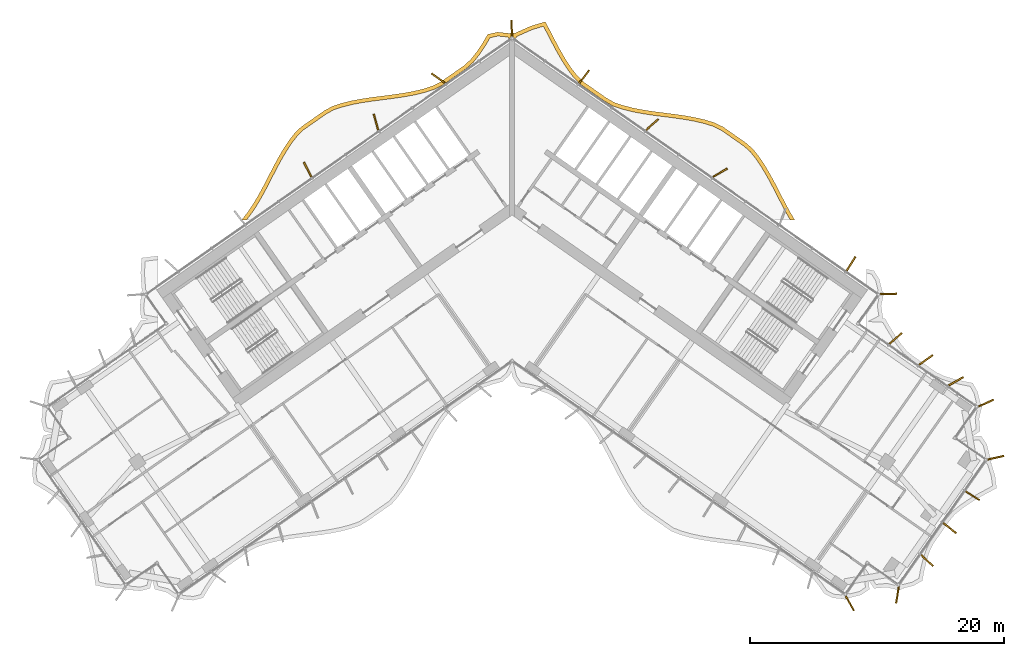
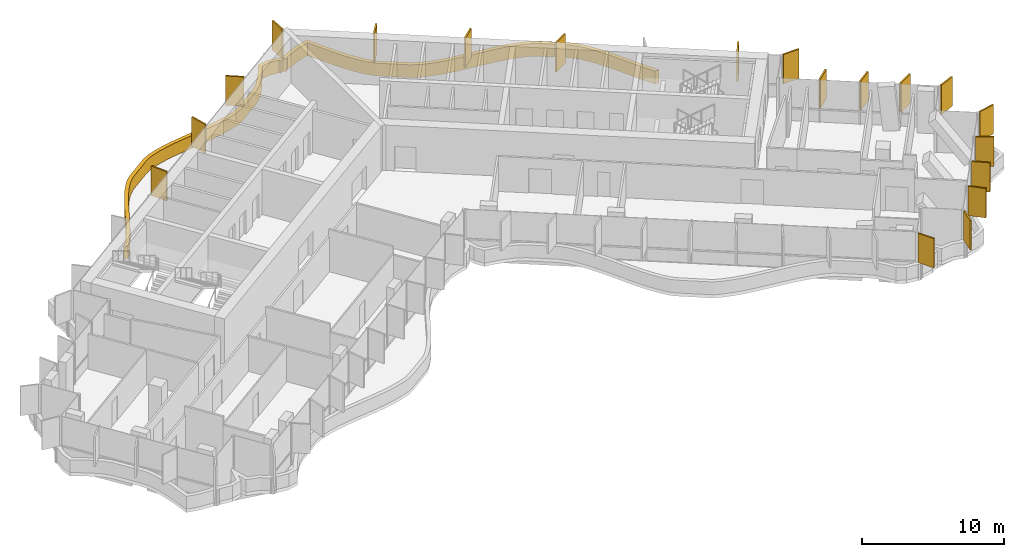
# One storey, part 23 of 23: 20 shading devices.
"""IFC4 building model written with IfcOpenShell, lengths in metres."""

from ifc_helpers import new_model, si_unit, direction, frame, origin, origin_2d, place, context, subcontext, project, spatial, polyline, rectangle, outline, extrude, material, layer, layer_set, type_object, element, save


model = new_model("IFC4")

# Units and contexts
model_context = context("Model", 3, precision=1e-05, world=origin(), true_north=direction((0.0, 1.0)))
body_context = subcontext(model_context, "Body", "Model", "MODEL_VIEW")
ifc_project = project(units=[si_unit("LENGTHUNIT", "METRE"), si_unit("AREAUNIT", "SQUARE_METRE"), si_unit("VOLUMEUNIT", "CUBIC_METRE"), si_unit("PLANEANGLEUNIT", "RADIAN"), si_unit("MASSUNIT", "GRAM", prefix="KILO")], contexts=[model_context])

# Site, building, storey
site_placement = place(None, origin())
site = spatial("IfcSite", under=ifc_project, at=site_placement, CompositionType="ELEMENT")
building_placement = place(site_placement, origin())
building = spatial("IfcBuilding", under=site, at=building_placement, Name="Tel Ilan Convention Tower", CompositionType="ELEMENT")
storey_placement = place(building_placement, frame((0.0, 0.0, 186.60009765625)))
storey = spatial("IfcBuildingStorey", under=building, at=storey_placement, Name="L43", CompositionType="ELEMENT", Elevation=186.60009765625)

# Shading devices
ifc_material_1 = material(Name="Aluminium, bronze anodised", Category="aluminium")
ifc_layer_1 = layer(ifc_material_1, 0.1201171875)
ifc_layer_set_1 = layer_set([ifc_layer_1], Name="FIN BRONZE 1300x120")
shading_device_type_1 = type_object("IfcShadingDeviceType", Name="FIN BRONZE 1300x120", PredefinedType="USERDEFINED", material=ifc_layer_set_1)
for number, where, z_axis, x_axis, name in (
    (1, (29.61669921875, -7.438720703125, 1.099853515625), (0.0, 0.0, 1.0), (0.999576950082, 0.029084718749, 0.0), "FIN"),
    (2, (26.674072265625, -5.063720703125, 1.099853515625), (0.0, 0.0, 1.0), (0.533204432798, 0.845986425922, 0.0), "FIN"),
    (3, (16.372802734375, 2.103271484375, 1.099853515625), (0.0, 0.0, 1.0), (0.866025403784, 0.5, 0.0), "FIN"),
    (4, (11.028076171875, 5.88330078125, 1.099853515625), (0.0, 0.0, 1.0), (0.753435896329, 0.657521368568, 0.0), "FIN"),
    (5, (5.664794921875, 9.647216796875, 1.099853515625), (0.0, 0.0, 1.0), (0.612600545196, 0.790392669516, 0.0), "FIN"),
    (6, (-0.031494140625, 13.4697265625, 1.099853515625), (0.0, 0.0, 1.0), (-0.048462378231, 0.998825008646, 0.0), "FIN"),
    (7, (-5.80517578125, 9.525390625, 1.099853515625), (0.0, 0.0, 1.0), (-0.813552070258, 0.581492071294, 0.0), "FIN"),
    (8, (-10.716064453125, 6.086669921875, 1.099853515625), (0.0, 0.0, 1.0), (-0.268172612768, 0.963370878614, 0.0), "FIN"),
    (9, (-16.092041015625, 2.345458984375, 1.099853515625), (0.0, 0.0, 1.0), (-0.448799180206, 0.893632640321, 0.0), "FIN"),
    (10, (26.574951171875, -31.78515625, 1.099853515625), (0.0, 0.0, 1.0), (0.491579408049, -0.870832754082, 0.0), "FIN"),
    (11, (30.326904296875, -31.12353515625, 1.099853515625), (0.0, 0.0, 1.0), (-0.16409119891, -0.986445172547, 0.0), "FIN"),
    (12, (32.6591796875, -28.41552734375, 1.099853515625), (0.0, 0.0, 1.0), (0.727373641577, -0.686241637865, 0.0), "FIN"),
    (13, (34.44482421875, -25.865966796875, 1.099853515625), (0.0, 0.0, 1.0), (0.790392669516, -0.612600545196, 0.0), "FIN"),
    (14, (36.230224609375, -23.31591796875, 1.099853515625), (0.0, 0.0, 1.0), (0.845986425922, -0.533204432798, 0.0), "FIN"),
    (15, (38.064208984375, -20.325439453125, 1.099853515625), (0.0, 0.0, 1.0), (0.975235208752, 0.221170268371, 0.0), "FIN"),
    (16, (37.299072265625, -16.02587890625, 1.099853515625), (0.0, 0.0, 1.0), (0.914332505315, 0.404964282034, 0.0), "FIN"),
    (17, (34.933837890625, -14.311279296875, 1.099853515625), (0.0, 0.0, 1.0), (0.866025403784, 0.5, 0.0), "FIN"),
    (18, (32.56201171875, -12.628173828125, 1.099853515625), (0.0, 0.0, 1.0), (0.813552070258, 0.581492071294, 0.0), "FIN"),
    (19, (30.18505859375, -10.948486328125, 1.099853515625), (0.0, 0.0, 1.0), (0.753435896329, 0.657521368568, 0.0), "FIN"),
):
    element("IfcShadingDevice", number, at=place(storey_placement, frame(where, z_axis=z_axis, x_axis=x_axis)), inside=storey, type_object=shading_device_type_1, Name=name, ObjectType="FIN", PredefinedType="USERDEFINED", context=body_context, shape_type="SweptSolid", body=[
        extrude(rectangle(XDim=1.300048828125, YDim=0.1201171875, at=origin_2d()), origin(), (0.0, 0.0, 1.0), 2.52001953125),
    ])
ifc_material_2 = material(Name="Aluminium, bronze anodised", Category="aluminium")
ifc_layer_2 = layer(ifc_material_2, 0.300048828125)
ifc_layer_set_2 = layer_set([ifc_layer_2], Name="LOUVRE BAND 300x1100")
shading_device_type_2 = type_object("IfcShadingDeviceType", Name="LOUVRE BAND 300x1100", PredefinedType="USERDEFINED", material=ifc_layer_set_2)
shading_device_placement = place(storey_placement, origin())
element("IfcShadingDevice", 20, at=shading_device_placement, inside=storey, type_object=shading_device_type_2, Name="LOUVRE BAND 33.02", ObjectType="LOUVRE", PredefinedType="USERDEFINED", context=body_context, shape_type="SweptSolid", body=[
    extrude(outline(polyline([(-20.849609375, -1.0634765625), (-21.30126953125, -1.631591796875), (-20.91796875, -1.631591796875), (-20.607666015625, -1.2412109375), (-20.154052734375, -0.572265625), (-19.73291015625, 0.13330078125), (-19.335205078125, 0.86328125), (-18.57080078125, 2.342041015625), (-18.1845703125, 3.06298828125), (-17.78369140625, 3.75341796875), (-17.359619140625, 4.40185546875), (-16.911376953125, 4.99072265625), (-16.409912109375, 5.478515625), (-14.633056640625, 6.722412109375), (-14.02197265625, 7.05712890625), (-13.32763671875, 7.284912109375), (-12.58056640625, 7.4697265625), (-11.800048828125, 7.61669921875), (-10.994384765625, 7.73681640625), (-9.345458984375, 7.94873046875), (-8.521484375, 8.068603515625), (-7.710693359375, 8.216064453125), (-6.921875, 8.404296875), (-6.152587890625, 8.64794921875), (-5.447509765625, 9.00390625), (-3.604248046875, 10.29443359375), (-3.021484375, 10.82373046875), (-2.525634765625, 11.46142578125), (-2.076904296875, 12.135498046875), (-1.727783203125, 12.727294921875), (-1.12451171875, 12.861572265625), (-0.33935546875, 12.77978515625), (-0.24609375, 12.646728515625), (0.0, 12.818115234375), (0.24609375, 12.646728515625), (0.3701171875, 12.82373046875), (1.583984375, 13.365234375), (2.46484375, 13.628173828125), (3.115478515625, 12.37158203125), (3.5078125, 11.636474609375), (3.92041015625, 10.921630859375), (4.362548828125, 10.239501953125), (4.84716796875, 9.595947265625), (5.407958984375, 9.031494140625), (7.251220703125, 7.74072265625), (7.93212890625, 7.353759765625), (8.69921875, 7.09716796875), (9.48291015625, 6.89990234375), (10.2900390625, 6.745361328125), (11.112060546875, 6.621337890625), (12.762939453125, 6.408935546875), (13.572509765625, 6.29248046875), (14.3583984375, 6.15185546875), (15.11279296875, 5.97509765625), (15.819580078125, 5.75537109375), (16.44921875, 5.450927734375), (18.22607421875, 4.206787109375), (18.74951171875, 3.746826171875), (19.200927734375, 3.172607421875), (19.63037109375, 2.533447265625), (20.03515625, 1.850341796875), (20.423583984375, 1.13427734375), (21.186767578125, -0.3427734375), (21.5810546875, -1.075927734375), (21.906005859375, -1.631591796875), (22.25341796875, -1.631591796875), (21.8427734375, -0.928955078125), (21.4521484375, -0.202880859375), (20.688720703125, 1.27490234375), (20.296142578125, 1.998291015625), (19.884033203125, 2.69384765625), (19.44384765625, 3.34912109375), (18.96826171875, 3.9541015625), (18.41162109375, 4.443115234375), (16.6015625, 5.71044921875), (15.929931640625, 6.03515625), (15.191650390625, 6.2646484375), (14.419189453125, 6.44580078125), (13.6201171875, 6.588623046875), (12.80322265625, 6.7060546875), (11.15380859375, 6.91845703125), (10.340576171875, 7.041259765625), (9.547607421875, 7.19287109375), (8.783447265625, 7.385498046875), (8.054931640625, 7.62890625), (7.411865234375, 7.99462890625), (5.601806640625, 9.261962890625), (5.074462890625, 9.792724609375), (4.608642578125, 10.41162109375), (4.17626953125, 11.078369140625), (3.770263671875, 11.7822265625), (3.38134765625, 12.510986328125), (2.6162109375, 13.986328125), (1.4794921875, 13.647216796875), (0.168701171875, 13.059326171875), (0.11474609375, 13.09521484375), (0.0, 13.1181640625), (-0.11474609375, 13.09521484375), (-0.168701171875, 13.059326171875), (-1.14208984375, 13.1650390625), (-1.919921875, 12.991943359375), (-2.3310546875, 12.294921875), (-2.769287109375, 11.63671875), (-3.242431640625, 11.0283203125), (-3.7919921875, 10.529296875), (-5.601806640625, 9.261962890625), (-6.26611328125, 8.926513671875), (-7.002197265625, 8.693603515625), (-7.7724609375, 8.509765625), (-8.570068359375, 8.36474609375), (-9.385986328125, 8.24609375), (-11.03564453125, 8.033935546875), (-11.849853515625, 7.91259765625), (-12.644287109375, 7.76318359375), (-13.41064453125, 7.573486328125), (-14.141845703125, 7.33349609375), (-14.791748046875, 6.977783203125), (-16.6015625, 5.71044921875), (-17.136474609375, 5.1904296875), (-17.604736328125, 4.574951171875), (-18.0390625, 3.9111328125), (-18.44677734375, 3.209228515625), (-18.83642578125, 2.481689453125), (-19.60009765625, 1.004150390625), (-19.993408203125, 0.281982421875), (-20.4072265625, -0.4111328125), (-20.849609375, -1.0634765625)])), origin(), (0.0, 0.0, 1.0), 1.099853515625),
])

save(model, "model.ifc")
